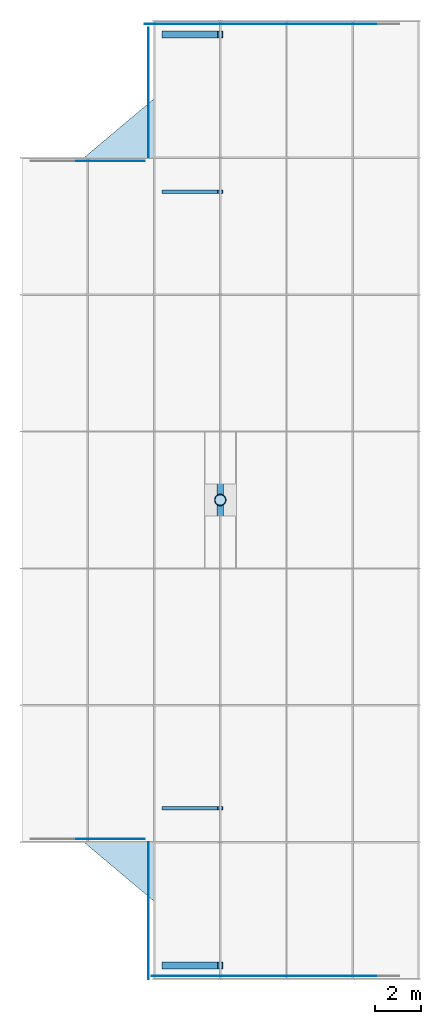
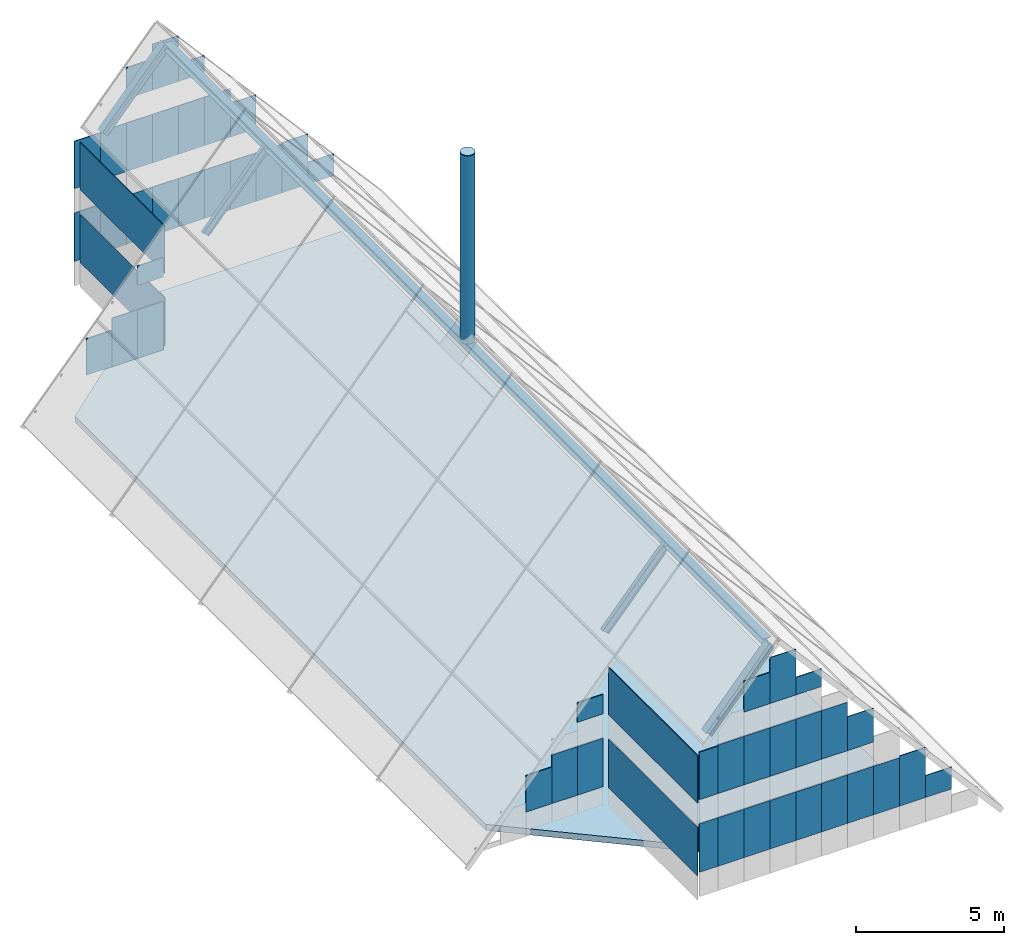
# One storey, part 1 of 5: 53 plates, 6 members, 1 slab.
"""IFC4 building model written with IfcOpenShell, lengths in metres."""

from ifc_helpers import new_model, si_unit, direction, frame, origin, origin_2d, place, context, subcontext, project, spatial, polyline, rectangle, hollow_circle, i_section, outline, extrude, source, transform, mapped, material, layer, layer_set, material_profile, profile_set, type_object, element, save


model = new_model("IFC4")

# Units and contexts
model_context = context("Model", 3, precision=1e-05, world=origin(), true_north=direction((0.0, 1.0)))
body_context = subcontext(model_context, "Body", "Model", "MODEL_VIEW")
ifc_project = project(units=[si_unit("LENGTHUNIT", "METRE"), si_unit("AREAUNIT", "SQUARE_METRE"), si_unit("VOLUMEUNIT", "CUBIC_METRE"), si_unit("PLANEANGLEUNIT", "RADIAN"), si_unit("MASSUNIT", "GRAM", prefix="KILO")], contexts=[model_context])

# Site, building, storey
site_placement = place(None, origin())
site = spatial("IfcSite", under=ifc_project, at=site_placement, CompositionType="ELEMENT")
building_placement = place(site_placement, origin())
building = spatial("IfcBuilding", under=site, at=building_placement, Name="Khomas Fold Tower", CompositionType="ELEMENT")
storey_placement = place(building_placement, frame((0.0, 0.0, 357.199951171875)))
storey = spatial("IfcBuildingStorey", under=building, at=storey_placement, Name="ROOF", CompositionType="ELEMENT", Elevation=357.199951171875)

# Members
ifc_material_1 = material(Name="Steel S355", Category="steel")
ifc_material_profile_1 = material_profile(ifc_material_1, i_section(OverallWidth=0.300048828125, OverallDepth=0.300048828125, WebThickness=0.010986328125, FlangeThickness=0.01904296875, at=origin_2d()), Name="HE 300 B")
ifc_profile_set_1 = profile_set([ifc_material_profile_1], Name="Steel S355")
member_type_1 = type_object("IfcMemberType", Name="GABLE RAFTER W ROOF HE 300 B", PredefinedType="RAFTER", material=ifc_profile_set_1)
shared_shape_1 = source(origin(), body_context, "Body", "SweptSolid", [
    extrude(i_section(OverallWidth=0.300048828125, OverallDepth=0.300048828125, WebThickness=0.010986328125, FlangeThickness=0.01904296875, at=origin_2d()), origin(), (0.0, 0.0, 1.0), 3.732666015625),
])
for number, where, z_axis, x_axis, name in (
    (1, (12.85009765625, 6.60009765625, 6.283935546875), (0.656348725581, 0.0, 0.754457653171), (0.0, 1.0, 0.0), "CF-R6P-W-ROOF"),
    (2, (12.85009765625, 47.39990234375, 6.283935546875), (0.656348725581, 0.0, 0.754457653171), (0.0, 1.0, 0.0), "CF-R6P-W-ROOF"),
):
    element("IfcMember", number, at=place(storey_placement, frame(where, z_axis=z_axis, x_axis=x_axis)), inside=storey, type_object=member_type_1, Name=name, PredefinedType="RAFTER", context=body_context, shape_type="MappedRepresentation", body=[
        mapped(shared_shape_1, transform((0.0, 0.0, 0.0))),
    ])
ifc_material_2 = material(Name="Steel S355", Category="steel")
ifc_material_profile_2 = material_profile(ifc_material_2, i_section(OverallWidth=0.14990234375, OverallDepth=0.300048828125, WebThickness=0.007080078125, FlangeThickness=0.0107421875, at=origin_2d()), Name="IPE 300")
ifc_profile_set_2 = profile_set([ifc_material_profile_2], Name="Steel S355")
member_type_2 = type_object("IfcMemberType", Name="GABLE RAFTER W ROOF IPE 300", PredefinedType="RAFTER", material=ifc_profile_set_2)
shared_shape_2 = source(origin(), body_context, "Body", "SweptSolid", [
    extrude(i_section(OverallWidth=0.14990234375, OverallDepth=0.300048828125, WebThickness=0.007080078125, FlangeThickness=0.0107421875, at=origin_2d()), origin(), (0.0, 0.0, 1.0), 3.732666015625),
])
for number, where, z_axis, x_axis, name in (
    (3, (12.85009765625, 13.5, 6.283935546875), (0.656348725581, 0.0, 0.754457653171), (0.0, 1.0, 0.0), "CF-R5P-W-ROOF"),
    (4, (12.85009765625, 40.5, 6.283935546875), (0.656348725581, 0.0, 0.754457653171), (0.0, 1.0, 0.0), "CF-R5P-W-ROOF"),
):
    element("IfcMember", number, at=place(storey_placement, frame(where, z_axis=z_axis, x_axis=x_axis)), inside=storey, type_object=member_type_2, Name=name, PredefinedType="RAFTER", context=body_context, shape_type="MappedRepresentation", body=[
        mapped(shared_shape_2, transform((0.0, 0.0, 0.0))),
    ])
ifc_material_3 = material(Name="Steel S355", Category="steel")
ifc_material_profile_3 = material_profile(ifc_material_3, i_section(OverallWidth=0.300048828125, OverallDepth=0.300048828125, WebThickness=0.010986328125, FlangeThickness=0.01904296875, at=origin_2d()), Name="HE 300 B")
ifc_profile_set_3 = profile_set([ifc_material_profile_3], Name="Steel S355")
member_type_3 = type_object("IfcMemberType", Name="RIDGE MEMBER ROOF HE 300 B", PredefinedType="RAFTER", material=ifc_profile_set_3)
shared_shape_3 = source(origin(), body_context, "Body", "SweptSolid", [
    extrude(i_section(OverallWidth=0.300048828125, OverallDepth=0.300048828125, WebThickness=0.010986328125, FlangeThickness=0.01904296875, at=origin_2d()), origin(), (0.0, 0.0, 1.0), 40.5),
])
member_1_placement = place(storey_placement, frame((15.300048828125, 6.75, 9.10009765625), z_axis=(0.0, 1.0, 0.0), x_axis=(-1.0, 0.0, 0.0)))
element("IfcMember", 5, at=member_1_placement, inside=storey, type_object=member_type_3, Name="CF-G-ROOF", PredefinedType="RAFTER", context=body_context, shape_type="MappedRepresentation", body=[
    mapped(shared_shape_3, transform((0.0, 0.0, 0.0))),
])
ifc_material_4 = material(Name="Steel S355", Category="steel")
ifc_material_profile_4 = material_profile(ifc_material_4, hollow_circle(Radius=0.25390625, WallThickness=0.01611328125, at=origin_2d()), Name="CHS 508x16")
ifc_profile_set_4 = profile_set([ifc_material_profile_4], Name="Steel S355")
member_type_4 = type_object("IfcMemberType", Name="CHS 508x16 userdefined SP1", PredefinedType="USERDEFINED", material=ifc_profile_set_4)
shared_shape_4 = source(origin(), body_context, "Body", "SweptSolid", [
    extrude(hollow_circle(Radius=0.25390625, WallThickness=0.01611328125, at=origin_2d()), origin(), (0.0, 0.0, 1.0), 7.75),
])
member_2_placement = place(storey_placement, frame((15.300048828125, 27.0, 9.25), z_axis=(0.0, 0.0, 1.0), x_axis=(1.0, 0.0, 0.0)))
element("IfcMember", 6, at=member_2_placement, inside=storey, type_object=member_type_4, Name="SPIRE", ObjectType="SPIRE", PredefinedType="USERDEFINED", context=body_context, shape_type="MappedRepresentation", body=[
    mapped(shared_shape_4, transform((0.0, 0.0, 0.0))),
])

# Plates
ifc_material_5 = material(Name="Laminated heat-strengthened glass", Category="glass")
ifc_layer_1 = layer(ifc_material_5, 0.031982421875)
ifc_layer_set_1 = layer_set([ifc_layer_1], Name="Laminated heat-strengthened glass")
plate_type_1 = type_object("IfcPlateType", Name="Crown gable glazing CR-GP", PredefinedType="SHEET", material=ifc_layer_set_1)
shared_shape_5 = source(origin(), body_context, "Body", "SweptSolid", [
    extrude(rectangle(XDim=0.71240234375, YDim=0.031982421875, at=origin_2d()), origin(), (0.0, 0.0, 1.0), 2.0),
])
plate_1_placement = place(storey_placement, frame((12.65625, 6.14990234375, 1.0), z_axis=(0.0, 0.0, 1.0), x_axis=(1.0, 0.0, 0.0)))
element("IfcPlate", 7, at=plate_1_placement, inside=storey, type_object=plate_type_1, Name="Crown gable panel", PredefinedType="SHEET", context=body_context, shape_type="MappedRepresentation", body=[
    mapped(shared_shape_5, transform((0.0, 0.0, 0.0))),
])
shared_shape_6 = source(origin(), body_context, "Body", "SweptSolid", [
    extrude(rectangle(XDim=0.71240234375, YDim=0.031982421875, at=origin_2d()), origin(), (0.0, 0.0, 1.0), 1.956787109375),
])
plate_2_placement = place(storey_placement, frame((12.65625, 6.14990234375, 4.0), z_axis=(0.0, 0.0, 1.0), x_axis=(1.0, 0.0, 0.0)))
element("IfcPlate", 8, at=plate_2_placement, inside=storey, type_object=plate_type_1, Name="Crown gable panel", PredefinedType="SHEET", context=body_context, shape_type="MappedRepresentation", body=[
    mapped(shared_shape_6, transform((0.0, 0.0, 0.0))),
])
shared_shape_7 = source(origin(), body_context, "Body", "SweptSolid", [
    extrude(rectangle(XDim=1.012451171875, YDim=0.031982421875, at=origin_2d()), origin(), (0.0, 0.0, 1.0), 2.0),
])
for number, where, z_axis, x_axis, name in (
    (9, (13.5185546875, 6.14990234375, 1.0), (0.0, 0.0, 1.0), (1.0, 0.0, 0.0), "Crown gable panel"),
    (10, (13.5185546875, 6.14990234375, 4.0), (0.0, 0.0, 1.0), (1.0, 0.0, 0.0), "Crown gable panel"),
    (11, (14.531005859375, 6.14990234375, 1.0), (0.0, 0.0, 1.0), (1.0, 0.0, 0.0), "Crown gable panel"),
    (12, (14.531005859375, 6.14990234375, 4.0), (0.0, 0.0, 1.0), (1.0, 0.0, 0.0), "Crown gable panel"),
    (13, (15.54345703125, 6.14990234375, 1.0), (0.0, 0.0, 1.0), (1.0, 0.0, 0.0), "Crown gable panel"),
    (14, (15.54345703125, 6.14990234375, 4.0), (0.0, 0.0, 1.0), (1.0, 0.0, 0.0), "Crown gable panel"),
    (15, (16.555908203125, 6.14990234375, 1.0), (0.0, 0.0, 1.0), (1.0, 0.0, 0.0), "Crown gable panel"),
    (16, (16.555908203125, 6.14990234375, 4.0), (0.0, 0.0, 1.0), (1.0, 0.0, 0.0), "Crown gable panel"),
    (17, (17.568359375, 6.14990234375, 1.0), (0.0, 0.0, 1.0), (1.0, 0.0, 0.0), "Crown gable panel"),
    (18, (17.568359375, 6.14990234375, 4.0), (0.0, 0.0, 1.0), (1.0, 0.0, 0.0), "Crown gable panel"),
    (19, (18.58056640625, 6.14990234375, 1.0), (0.0, 0.0, 1.0), (1.0, 0.0, 0.0), "Crown gable panel"),
    (20, (19.593017578125, 6.14990234375, 1.0), (0.0, 0.0, 1.0), (1.0, 0.0, 0.0), "Crown gable panel"),
    (21, (19.593017578125, 47.85009765625, 1.0), (0.0, 0.0, 1.0), (-1.0, 0.0, 0.0), "Crown gable panel"),
    (22, (18.58056640625, 47.85009765625, 1.0), (0.0, 0.0, 1.0), (-1.0, 0.0, 0.0), "Crown gable panel"),
    (23, (17.568359375, 47.85009765625, 1.0), (0.0, 0.0, 1.0), (-1.0, 0.0, 0.0), "Crown gable panel"),
    (24, (17.568359375, 47.85009765625, 4.0), (0.0, 0.0, 1.0), (-1.0, 0.0, 0.0), "Crown gable panel"),
    (25, (16.555908203125, 47.85009765625, 1.0), (0.0, 0.0, 1.0), (-1.0, 0.0, 0.0), "Crown gable panel"),
    (26, (16.555908203125, 47.85009765625, 4.0), (0.0, 0.0, 1.0), (-1.0, 0.0, 0.0), "Crown gable panel"),
    (27, (15.54345703125, 47.85009765625, 1.0), (0.0, 0.0, 1.0), (-1.0, 0.0, 0.0), "Crown gable panel"),
    (28, (15.54345703125, 47.85009765625, 4.0), (0.0, 0.0, 1.0), (-1.0, 0.0, 0.0), "Crown gable panel"),
    (29, (14.531005859375, 47.85009765625, 1.0), (0.0, 0.0, 1.0), (-1.0, 0.0, 0.0), "Crown gable panel"),
    (30, (14.531005859375, 47.85009765625, 4.0), (0.0, 0.0, 1.0), (-1.0, 0.0, 0.0), "Crown gable panel"),
    (31, (13.5185546875, 47.85009765625, 1.0), (0.0, 0.0, 1.0), (-1.0, 0.0, 0.0), "Crown gable panel"),
    (32, (13.5185546875, 47.85009765625, 4.0), (0.0, 0.0, 1.0), (-1.0, 0.0, 0.0), "Crown gable panel"),
    (33, (12.506103515625, 47.85009765625, 1.0), (0.0, 0.0, 1.0), (-1.0, 0.0, 0.0), "Crown gable panel"),
):
    element("IfcPlate", number, at=place(storey_placement, frame(where, z_axis=z_axis, x_axis=x_axis)), inside=storey, type_object=plate_type_1, Name=name, PredefinedType="SHEET", context=body_context, shape_type="MappedRepresentation", body=[
        mapped(shared_shape_7, transform((0.0, 0.0, 0.0))),
    ])
shared_shape_8 = source(origin(), body_context, "Body", "SweptSolid", [
    extrude(rectangle(XDim=1.012451171875, YDim=0.031982421875, at=origin_2d()), origin(), (0.0, 0.0, 1.0), 1.2841796875),
])
for number, where, z_axis, x_axis, name in (
    (34, (14.531005859375, 6.14990234375, 7.0), (0.0, 0.0, 1.0), (1.0, 0.0, 0.0), "Crown gable panel"),
    (35, (14.531005859375, 47.85009765625, 7.0), (0.0, 0.0, 1.0), (-1.0, 0.0, 0.0), "Crown gable panel"),
):
    element("IfcPlate", number, at=place(storey_placement, frame(where, z_axis=z_axis, x_axis=x_axis)), inside=storey, type_object=plate_type_1, Name=name, PredefinedType="SHEET", context=body_context, shape_type="MappedRepresentation", body=[
        mapped(shared_shape_8, transform((0.0, 0.0, 0.0))),
    ])
shared_shape_9 = source(origin(), body_context, "Body", "SweptSolid", [
    extrude(rectangle(XDim=1.012451171875, YDim=0.031982421875, at=origin_2d()), origin(), (0.0, 0.0, 1.0), 1.888427734375),
])
for number, where, z_axis, x_axis, name in (
    (36, (15.54345703125, 6.14990234375, 7.0), (0.0, 0.0, 1.0), (1.0, 0.0, 0.0), "Crown gable panel"),
    (37, (15.54345703125, 47.85009765625, 7.0), (0.0, 0.0, 1.0), (-1.0, 0.0, 0.0), "Crown gable panel"),
):
    element("IfcPlate", number, at=place(storey_placement, frame(where, z_axis=z_axis, x_axis=x_axis)), inside=storey, type_object=plate_type_1, Name=name, PredefinedType="SHEET", context=body_context, shape_type="MappedRepresentation", body=[
        mapped(shared_shape_9, transform((0.0, 0.0, 0.0))),
    ])
shared_shape_10 = source(origin(), body_context, "Body", "SweptSolid", [
    extrude(rectangle(XDim=1.012451171875, YDim=0.031982421875, at=origin_2d()), origin(), (0.0, 0.0, 1.0), 0.724609375),
])
for number, where, z_axis, x_axis, name in (
    (38, (16.555908203125, 6.14990234375, 7.0), (0.0, 0.0, 1.0), (1.0, 0.0, 0.0), "Crown gable panel"),
    (39, (16.555908203125, 47.85009765625, 7.0), (0.0, 0.0, 1.0), (-1.0, 0.0, 0.0), "Crown gable panel"),
):
    element("IfcPlate", number, at=place(storey_placement, frame(where, z_axis=z_axis, x_axis=x_axis)), inside=storey, type_object=plate_type_1, Name=name, PredefinedType="SHEET", context=body_context, shape_type="MappedRepresentation", body=[
        mapped(shared_shape_10, transform((0.0, 0.0, 0.0))),
    ])
shared_shape_11 = source(origin(), body_context, "Body", "SweptSolid", [
    extrude(rectangle(XDim=1.012451171875, YDim=0.031982421875, at=origin_2d()), origin(), (0.0, 0.0, 1.0), 1.397216796875),
])
for number, where, z_axis, x_axis, name in (
    (40, (18.58056640625, 6.14990234375, 4.0), (0.0, 0.0, 1.0), (1.0, 0.0, 0.0), "Crown gable panel"),
    (41, (18.58056640625, 47.85009765625, 4.0), (0.0, 0.0, 1.0), (-1.0, 0.0, 0.0), "Crown gable panel"),
):
    element("IfcPlate", number, at=place(storey_placement, frame(where, z_axis=z_axis, x_axis=x_axis)), inside=storey, type_object=plate_type_1, Name=name, PredefinedType="SHEET", context=body_context, shape_type="MappedRepresentation", body=[
        mapped(shared_shape_11, transform((0.0, 0.0, 0.0))),
    ])
shared_shape_12 = source(origin(), body_context, "Body", "SweptSolid", [
    extrude(rectangle(XDim=1.012451171875, YDim=0.031982421875, at=origin_2d()), origin(), (0.0, 0.0, 1.0), 2.06982421875),
])
for number, where, z_axis, x_axis, name in (
    (42, (20.60546875, 6.14990234375, 1.0), (0.0, 0.0, 1.0), (1.0, 0.0, 0.0), "Crown gable panel"),
    (43, (20.60546875, 47.85009765625, 1.0), (0.0, 0.0, 1.0), (-1.0, 0.0, 0.0), "Crown gable panel"),
):
    element("IfcPlate", number, at=place(storey_placement, frame(where, z_axis=z_axis, x_axis=x_axis)), inside=storey, type_object=plate_type_1, Name=name, PredefinedType="SHEET", context=body_context, shape_type="MappedRepresentation", body=[
        mapped(shared_shape_12, transform((0.0, 0.0, 0.0))),
    ])
shared_shape_13 = source(origin(), body_context, "Body", "SweptSolid", [
    extrude(rectangle(XDim=1.012451171875, YDim=0.031982421875, at=origin_2d()), origin(), (0.0, 0.0, 1.0), 0.90625),
])
for number, where, z_axis, x_axis, name in (
    (44, (21.617919921875, 6.14990234375, 1.0), (0.0, 0.0, 1.0), (1.0, 0.0, 0.0), "Crown gable panel"),
    (45, (21.617919921875, 47.85009765625, 1.0), (0.0, 0.0, 1.0), (-1.0, 0.0, 0.0), "Crown gable panel"),
):
    element("IfcPlate", number, at=place(storey_placement, frame(where, z_axis=z_axis, x_axis=x_axis)), inside=storey, type_object=plate_type_1, Name=name, PredefinedType="SHEET", context=body_context, shape_type="MappedRepresentation", body=[
        mapped(shared_shape_13, transform((0.0, 0.0, 0.0))),
    ])
shared_shape_14 = source(origin(), body_context, "Body", "SweptSolid", [
    extrude(rectangle(XDim=1.012451171875, YDim=0.031982421875, at=origin_2d()), origin(), (0.0, 0.0, 1.0), 1.956787109375),
])
plate_3_placement = place(storey_placement, frame((12.506103515625, 47.85009765625, 4.0), z_axis=(0.0, 0.0, 1.0), x_axis=(-1.0, 0.0, 0.0)))
element("IfcPlate", 46, at=plate_3_placement, inside=storey, type_object=plate_type_1, Name="Crown gable panel", PredefinedType="SHEET", context=body_context, shape_type="MappedRepresentation", body=[
    mapped(shared_shape_14, transform((0.0, 0.0, 0.0))),
])
shared_shape_15 = source(origin(), body_context, "Body", "SweptSolid", [
    extrude(rectangle(XDim=5.699951171875, YDim=0.031982421875, at=origin_2d()), origin(), (0.0, 0.0, 1.0), 2.0),
])
plate_4_placement = place(storey_placement, frame((12.14990234375, 44.85009765625, 1.0), z_axis=(0.0, 0.0, 1.0), x_axis=(0.0, -1.0, 0.0)))
element("IfcPlate", 47, at=plate_4_placement, inside=storey, type_object=plate_type_1, Name="Crown gable panel", PredefinedType="SHEET", context=body_context, shape_type="MappedRepresentation", body=[
    mapped(shared_shape_15, transform((0.0, 0.0, 0.0))),
])
shared_shape_16 = source(origin(), body_context, "Body", "SweptSolid", [
    extrude(rectangle(XDim=5.699951171875, YDim=0.031982421875, at=origin_2d()), origin(), (0.0, 0.0, 1.0), 1.956787109375),
])
plate_5_placement = place(storey_placement, frame((12.14990234375, 44.85009765625, 4.0), z_axis=(0.0, 0.0, 1.0), x_axis=(0.0, -1.0, 0.0)))
element("IfcPlate", 48, at=plate_5_placement, inside=storey, type_object=plate_type_1, Name="Crown gable panel", PredefinedType="SHEET", context=body_context, shape_type="MappedRepresentation", body=[
    mapped(shared_shape_16, transform((0.0, 0.0, 0.0))),
])
shared_shape_17 = source(origin(), body_context, "Body", "SweptSolid", [
    extrude(rectangle(XDim=1.0, YDim=0.031982421875, at=origin_2d()), origin(), (0.0, 0.0, 1.0), 2.0),
])
for number, where, z_axis, x_axis, name in (
    (49, (11.5, 41.85009765625, 1.0), (0.0, 0.0, 1.0), (-1.0, 0.0, 0.0), "Crown gable panel"),
    (50, (10.5, 41.85009765625, 1.0), (0.0, 0.0, 1.0), (-1.0, 0.0, 0.0), "Crown gable panel"),
    (51, (10.5, 12.14990234375, 1.0), (0.0, 0.0, 1.0), (1.0, 0.0, 0.0), "Crown gable panel"),
    (52, (11.5, 12.14990234375, 1.0), (0.0, 0.0, 1.0), (1.0, 0.0, 0.0), "Crown gable panel"),
):
    element("IfcPlate", number, at=place(storey_placement, frame(where, z_axis=z_axis, x_axis=x_axis)), inside=storey, type_object=plate_type_1, Name=name, PredefinedType="SHEET", context=body_context, shape_type="MappedRepresentation", body=[
        mapped(shared_shape_17, transform((0.0, 0.0, 0.0))),
    ])
shared_shape_18 = source(origin(), body_context, "Body", "SweptSolid", [
    extrude(rectangle(XDim=1.0, YDim=0.031982421875, at=origin_2d()), origin(), (0.0, 0.0, 1.0), 0.807373046875),
])
for number, where, z_axis, x_axis, name in (
    (53, (11.5, 41.85009765625, 4.0), (0.0, 0.0, 1.0), (-1.0, 0.0, 0.0), "Crown gable panel"),
    (54, (11.5, 12.14990234375, 4.0), (0.0, 0.0, 1.0), (1.0, 0.0, 0.0), "Crown gable panel"),
):
    element("IfcPlate", number, at=place(storey_placement, frame(where, z_axis=z_axis, x_axis=x_axis)), inside=storey, type_object=plate_type_1, Name=name, PredefinedType="SHEET", context=body_context, shape_type="MappedRepresentation", body=[
        mapped(shared_shape_18, transform((0.0, 0.0, 0.0))),
    ])
shared_shape_19 = source(origin(), body_context, "Body", "SweptSolid", [
    extrude(rectangle(XDim=1.0, YDim=0.031982421875, at=origin_2d()), origin(), (0.0, 0.0, 1.0), 1.508544921875),
])
for number, where, z_axis, x_axis, name in (
    (55, (9.5, 41.85009765625, 1.0), (0.0, 0.0, 1.0), (-1.0, 0.0, 0.0), "Crown gable panel"),
    (56, (9.5, 12.14990234375, 1.0), (0.0, 0.0, 1.0), (1.0, 0.0, 0.0), "Crown gable panel"),
):
    element("IfcPlate", number, at=place(storey_placement, frame(where, z_axis=z_axis, x_axis=x_axis)), inside=storey, type_object=plate_type_1, Name=name, PredefinedType="SHEET", context=body_context, shape_type="MappedRepresentation", body=[
        mapped(shared_shape_19, transform((0.0, 0.0, 0.0))),
    ])
shared_shape_20 = source(origin(), body_context, "Body", "SweptSolid", [
    extrude(rectangle(XDim=6.0, YDim=0.031982421875, at=origin_2d()), origin(), (0.0, 0.0, 1.0), 2.0),
])
plate_6_placement = place(storey_placement, frame((12.14990234375, 9.0, 1.0), z_axis=(0.0, 0.0, 1.0), x_axis=(0.0, -1.0, 0.0)))
element("IfcPlate", 57, at=plate_6_placement, inside=storey, type_object=plate_type_1, Name="Crown gable panel", PredefinedType="SHEET", context=body_context, shape_type="MappedRepresentation", body=[
    mapped(shared_shape_20, transform((0.0, 0.0, 0.0))),
])
shared_shape_21 = source(origin(), body_context, "Body", "SweptSolid", [
    extrude(rectangle(XDim=6.0, YDim=0.031982421875, at=origin_2d()), origin(), (0.0, 0.0, 1.0), 1.956787109375),
])
plate_7_placement = place(storey_placement, frame((12.14990234375, 9.0, 4.0), z_axis=(0.0, 0.0, 1.0), x_axis=(0.0, -1.0, 0.0)))
element("IfcPlate", 58, at=plate_7_placement, inside=storey, type_object=plate_type_1, Name="Crown gable panel", PredefinedType="SHEET", context=body_context, shape_type="MappedRepresentation", body=[
    mapped(shared_shape_21, transform((0.0, 0.0, 0.0))),
])
ifc_material_6 = material(Name="Steel S355", Category="steel")
ifc_layer_2 = layer(ifc_material_6, 0.030029296875)
ifc_layer_set_2 = layer_set([ifc_layer_2], Name="Steel S355")
plate_type_2 = type_object("IfcPlateType", Name="Mast cap plate SP1-CP", PredefinedType="SHEET", material=ifc_layer_set_2)
shared_shape_22 = source(origin(), body_context, "Body", "SweptSolid", [
    extrude(outline(polyline([(15.553955078125, 27.0), (15.549072265625, 27.049560546875), (15.53466796875, 27.09716796875), (15.51123046875, 27.14111328125), (15.4794921875, 27.1796875), (15.441162109375, 27.211181640625), (15.397216796875, 27.234619140625), (15.349609375, 27.2490234375), (15.300048828125, 27.25390625), (15.25048828125, 27.2490234375), (15.202880859375, 27.234619140625), (15.158935546875, 27.211181640625), (15.120361328125, 27.1796875), (15.0888671875, 27.14111328125), (15.0654296875, 27.09716796875), (15.05078125, 27.049560546875), (15.0458984375, 27.0), (15.05078125, 26.950439453125), (15.0654296875, 26.90283203125), (15.0888671875, 26.85888671875), (15.120361328125, 26.8203125), (15.158935546875, 26.788818359375), (15.202880859375, 26.765380859375), (15.25048828125, 26.7509765625), (15.300048828125, 26.74609375), (15.349609375, 26.7509765625), (15.397216796875, 26.765380859375), (15.441162109375, 26.788818359375), (15.4794921875, 26.8203125), (15.51123046875, 26.85888671875), (15.53466796875, 26.90283203125), (15.549072265625, 26.950439453125), (15.553955078125, 27.0)])), origin(), (0.0, 0.0, 1.0), 0.030029296875),
])
plate_8_placement = place(storey_placement, frame((0.0, 0.0, 17.0)))
element("IfcPlate", 59, at=plate_8_placement, inside=storey, type_object=plate_type_2, Name="Mast cap plate SP1-CP", PredefinedType="SHEET", context=body_context, shape_type="MappedRepresentation", body=[
    mapped(shared_shape_22, transform((0.0, 0.0, 0.0))),
])

# Slab
ifc_material_7 = material(Name="Concrete C40/50", Category="concrete")
ifc_layer_3 = layer(ifc_material_7, 0.25)
ifc_layer_set_3 = layer_set([ifc_layer_3], Name="Concrete C40/50")
slab_type = type_object("IfcSlabType", Name="Crown plant roof slab CR-PR", PredefinedType="ROOF", material=ifc_layer_set_3)
shared_shape_23 = source(origin(), body_context, "Body", "SweptSolid", [
    extrude(outline(polyline([(8.0, 13.120361328125), (8.0, 40.879638671875), (13.84521484375, 45.800048828125), (21.25, 45.800048828125), (21.25, 8.199951171875), (13.84521484375, 8.199951171875), (8.0, 13.120361328125)])), origin(), (0.0, 0.0, 1.0), 0.25),
])
slab_placement = place(storey_placement, origin())
element("IfcSlab", 60, at=slab_placement, inside=storey, type_object=slab_type, Name="Crown plant roof", PredefinedType="ROOF", context=body_context, shape_type="MappedRepresentation", body=[
    mapped(shared_shape_23, transform((0.0, 0.0, 0.0))),
])

save(model, "model.ifc")
